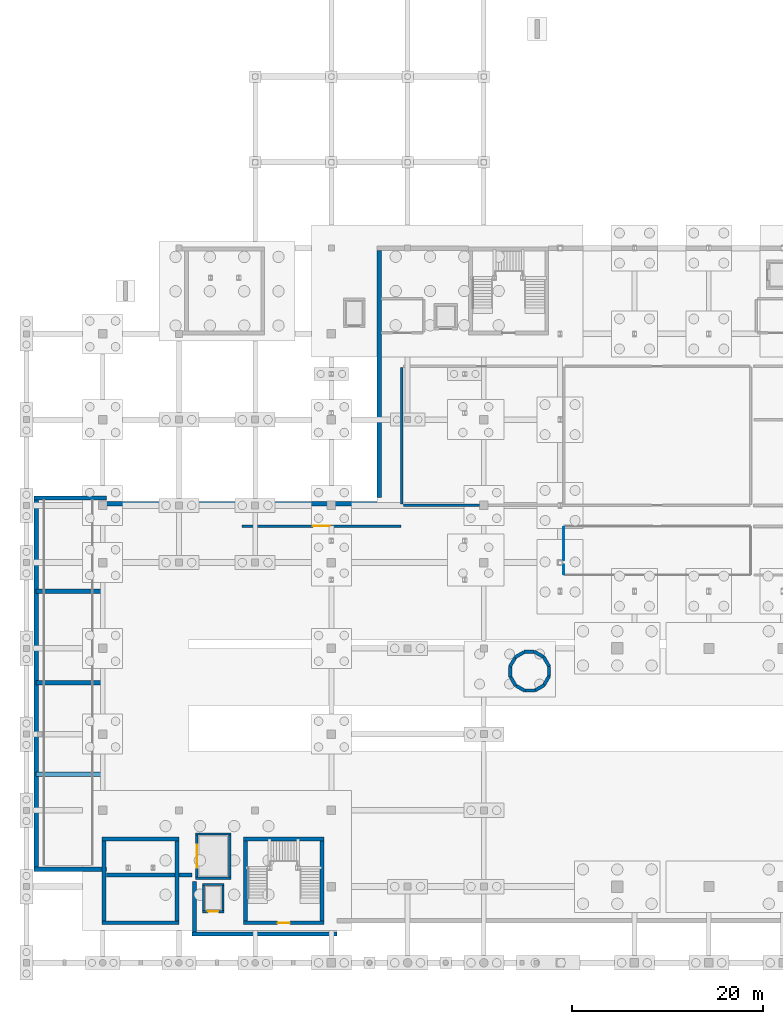
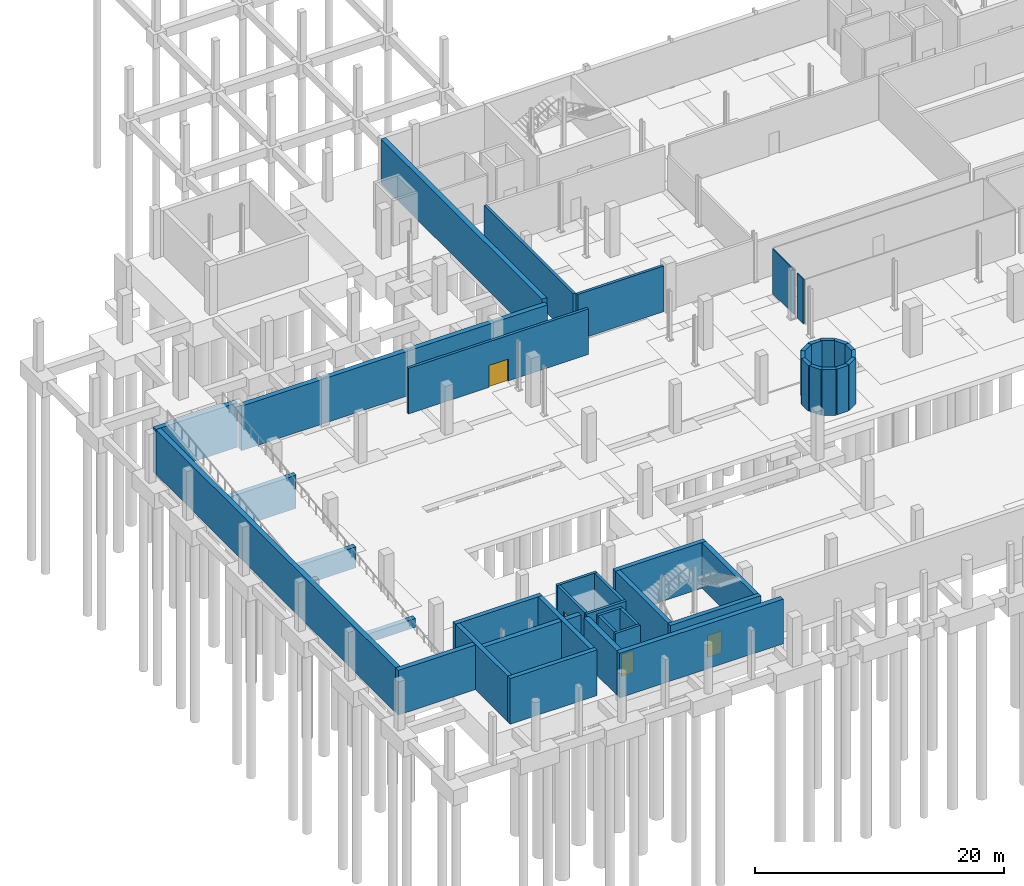
# One storey, part 25 of 32: 44 walls, 4 doors, 4 openings.
"""IFC4 building model written with IfcOpenShell, lengths in metres."""

from ifc_helpers import new_model, si_unit, derived_unit, direction, frame, frame_2d, origin, place, context, subcontext, project, spatial, rectangle, extrude, material, layer, layer_set, type_object, element, fill, save


model = new_model("IFC4")

# Units and contexts
model_context = context("Model", 3, precision=1e-05, world=origin(), true_north=direction((0.0, 1.0)))
body_context = subcontext(model_context, "Body", "Model", "MODEL_VIEW")
ifc_project = project(units=[si_unit("LENGTHUNIT", "METRE"), si_unit("AREAUNIT", "SQUARE_METRE"), si_unit("VOLUMEUNIT", "CUBIC_METRE"), si_unit("PLANEANGLEUNIT", "RADIAN"), si_unit("MASSUNIT", "GRAM", prefix="KILO"), derived_unit("THERMALTRANSMITTANCEUNIT", [(si_unit("POWERUNIT", "WATT"), 1), (si_unit("LENGTHUNIT", "METRE"), -2), (si_unit("THERMODYNAMICTEMPERATUREUNIT", "KELVIN"), -1)])], contexts=[model_context])

# Site, building, storey
site_placement = place(None, origin())
site = spatial("IfcSite", under=ifc_project, at=site_placement, CompositionType="ELEMENT")
building_placement = place(site_placement, origin())
building = spatial("IfcBuilding", under=site, at=building_placement, Name="Nallur Shell Playhouse", CompositionType="ELEMENT")
storey_placement = place(building_placement, frame((0.0, 0.0, -4.800048828125)))
storey = spatial("IfcBuildingStorey", under=building, at=storey_placement, Name="B1", CompositionType="ELEMENT", Elevation=-4.800048828125)

# Wall, opening, door
ifc_material_1 = material(Name="Concrete M45", Category="concrete")
ifc_layer_1 = layer(ifc_material_1, 0.39990234375)
ifc_layer_set_1 = layer_set([ifc_layer_1], Name="Concrete M45")
wall_type_1 = type_object("IfcWallType", Name="WL-CORE-400", PredefinedType="SHEAR", material=ifc_layer_set_1)
wall_1_placement = place(storey_placement, frame((30.800048828125, 12.199951171875, 0.0), z_axis=(0.0, 0.0, 1.0), x_axis=(1.0, 0.0, 0.0)))
wall_1 = element("IfcWall", 1, at=wall_1_placement, inside=storey, type_object=wall_type_1, Name="Joint Core JC-1 shear wall S (B1)", PredefinedType="SHEAR", context=body_context, shape_type="SweptSolid", body=[
    extrude(rectangle(XDim=8.39990234375, YDim=0.39990234375, at=frame_2d((4.199951171875, 0.0))), origin(), (0.0, 0.0, 1.0), 4.47998046875),
])
opening_1_placement = place(wall_1_placement, frame((3.550048828125, 0.0, 0.0)))
opening_1 = element("IfcOpeningElement", 2, at=opening_1_placement, cuts=wall_1, Name="Opening FD-ST1", PredefinedType="OPENING", context=body_context, shape_type="SweptSolid", body=[
    extrude(rectangle(XDim=1.300048828125, YDim=2.14990234375, at=frame_2d((0.64990234375, 1.074951171875))), frame((0.0, 0.2099609375, 0.0), z_axis=(0.0, -1.0, 0.0), x_axis=(1.0, 0.0, 0.0)), (0.0, 0.0, 1.0), 0.419921875),
])
ifc_material_2 = material(Name="Galvanised Steel Fire-Rated Stair Door", Category="steel")
door_type_1 = type_object("IfcDoorType", Name="DR-INT-STAIR-L", OperationType="SINGLE_SWING_LEFT", PredefinedType="DOOR", material=ifc_material_2)
door_1_placement = place(opening_1_placement, origin())
door_1 = element("IfcDoor", 3, at=door_1_placement, inside=storey, type_object=door_type_1, Name="Exit stair ST-01 fire door (B1)", OperationType="SINGLE_SWING_LEFT", OverallHeight=2.14990234375, OverallWidth=1.300048828125, PredefinedType="DOOR", context=body_context, shape_type="SweptSolid", body=[
    extrude(rectangle(XDim=1.300048828125, YDim=2.14990234375, at=frame_2d((0.64990234375, 1.074951171875))), frame((0.0, 0.02490234375, 0.0), z_axis=(0.0, -1.0, 0.0), x_axis=(1.0, 0.0, 0.0)), (0.0, 0.0, 1.0), 0.050048828125),
])
fill(opening_1, door_1)

# Walls
wall_2_placement = place(storey_placement, frame((39.199951171875, 21.0, 0.0), z_axis=(0.0, 0.0, 1.0), x_axis=(-1.0, 0.0, 0.0)))
element("IfcWall", 4, at=wall_2_placement, inside=storey, type_object=wall_type_1, Name="Joint Core JC-1 shear wall N (B1)", PredefinedType="SHEAR", context=body_context, shape_type="SweptSolid", body=[
    extrude(rectangle(XDim=8.39990234375, YDim=0.39990234375, at=frame_2d((4.199951171875, 0.0))), origin(), (0.0, 0.0, 1.0), 4.47998046875),
])
for number, where, z_axis, x_axis, name in (
    (5, (39.0, 12.409912109375, 0.0), (0.0, 0.0, 1.0), (0.0, 1.0, 0.0), "Joint Core JC-1 shear wall E (B1)"),
    (6, (31.0, 20.7900390625, 0.0), (0.0, 0.0, 1.0), (0.0, -1.0, 0.0), "Joint Core JC-1 shear wall W (B1)"),
):
    element("IfcWall", number, at=place(storey_placement, frame(where, z_axis=z_axis, x_axis=x_axis)), inside=storey, type_object=wall_type_1, Name=name, PredefinedType="SHEAR", context=body_context, shape_type="SweptSolid", body=[
        extrude(rectangle(XDim=8.380126953125, YDim=0.39990234375, at=frame_2d((4.18994140625, 0.0))), origin(), (0.0, 0.0, 1.0), 4.47998046875),
    ])
for number, where, z_axis, x_axis, name in (
    (7, (15.949951171875, 12.199951171875, 0.0), (0.0, 0.0, 1.0), (1.0, 0.0, 0.0), "Joint Core JC-7 substructure foundation wall S (B1)"),
    (8, (24.0, 21.0, 0.0), (0.0, 0.0, 1.0), (-1.0, 0.0, 0.0), "Joint Core JC-7 substructure foundation wall N (B1)"),
):
    element("IfcWall", number, at=place(storey_placement, frame(where, z_axis=z_axis, x_axis=x_axis)), inside=storey, type_object=wall_type_1, Name=name, PredefinedType="SHEAR", context=body_context, shape_type="SweptSolid", body=[
        extrude(rectangle(XDim=8.050048828125, YDim=0.39990234375, at=frame_2d((4.02490234375, 0.0))), origin(), (0.0, 0.0, 1.0), 4.47998046875),
    ])
for number, where, z_axis, x_axis, name in (
    (9, (23.800048828125, 12.409912109375, 0.0), (0.0, 0.0, 1.0), (0.0, 1.0, 0.0), "Joint Core JC-7 substructure foundation wall E (B1)"),
    (10, (16.14990234375, 20.7900390625, 0.0), (0.0, 0.0, 1.0), (0.0, -1.0, 0.0), "Joint Core JC-7 substructure foundation wall W (B1)"),
):
    element("IfcWall", number, at=place(storey_placement, frame(where, z_axis=z_axis, x_axis=x_axis)), inside=storey, type_object=wall_type_1, Name=name, PredefinedType="SHEAR", context=body_context, shape_type="SweptSolid", body=[
        extrude(rectangle(XDim=8.380126953125, YDim=0.39990234375, at=frame_2d((4.18994140625, 0.0))), origin(), (0.0, 0.0, 1.0), 4.47998046875),
    ])
wall_3_placement = place(storey_placement, frame((62.861328125, 39.08642578125, 0.0), z_axis=(0.0, 0.0, 1.0), x_axis=(-0.499930512259, 0.866065518833, 0.0)))
element("IfcWall", 11, at=wall_3_placement, inside=storey, type_object=wall_type_1, Name="Metabolist service drum DR-1 facet 1 (B1)", PredefinedType="SHEAR", context=body_context, shape_type="SweptSolid", body=[
    extrude(rectangle(XDim=1.218994140625, YDim=0.35009765625, at=frame_2d((0.609375, 0.0))), origin(), (0.0, 0.0, 1.0), 4.47998046875),
])
for number, where, z_axis, x_axis, name in (
    (12, (62.23291015625, 40.114990234375, 0.0), (0.0, 0.0, 1.0), (-0.866062834654, 0.499935162227, 0.0), "Metabolist service drum DR-1 facet 2 (B1)"),
    (13, (61.283447265625, 40.62841796875, 0.0), (0.0, 0.0, 1.0), (-1.0, 0.0, 0.0), "Metabolist service drum DR-1 facet 3 (B1)"),
    (14, (60.20458984375, 40.598388671875, 0.0), (0.0, 0.0, 1.0), (-0.86611865017, -0.499838457731, 0.0), "Metabolist service drum DR-1 facet 4 (B1)"),
    (15, (59.28515625, 40.032958984375, 0.0), (0.0, 0.0, 1.0), (-0.500102687236, -0.865966109163, 0.0), "Metabolist service drum DR-1 facet 5 (B1)"),
    (16, (58.771484375, 39.08349609375, 0.0), (0.0, 0.0, 1.0), (0.0, -1.0, 0.0), "Metabolist service drum DR-1 facet 6 (B1)"),
    (17, (58.801513671875, 38.00439453125, 0.0), (0.0, 0.0, 1.0), (0.500102687236, -0.865966109163, 0.0), "Metabolist service drum DR-1 facet 7 (B1)"),
):
    element("IfcWall", number, at=place(storey_placement, frame(where, z_axis=z_axis, x_axis=x_axis)), inside=storey, type_object=wall_type_1, Name=name, PredefinedType="SHEAR", context=body_context, shape_type="SweptSolid", body=[
        extrude(rectangle(XDim=1.093017578125, YDim=0.35009765625, at=frame_2d((0.54638671875, 0.0))), origin(), (0.0, 0.0, 1.0), 4.47998046875),
    ])
wall_4_placement = place(storey_placement, frame((59.366943359375, 37.085205078125, 0.0), z_axis=(0.0, 0.0, 1.0), x_axis=(0.866021955858, -0.500005971936, 0.0)))
element("IfcWall", 18, at=wall_4_placement, inside=storey, type_object=wall_type_1, Name="Metabolist service drum DR-1 facet 8 (B1)", PredefinedType="SHEAR", context=body_context, shape_type="SweptSolid", body=[
    extrude(rectangle(XDim=1.09326171875, YDim=0.35009765625, at=frame_2d((0.546630859375, 0.0))), origin(), (0.0, 0.0, 1.0), 4.47998046875),
])
for number, where, z_axis, x_axis, name in (
    (19, (60.31640625, 36.571533203125, 0.0), (0.0, 0.0, 1.0), (1.0, 0.0, 0.0), "Metabolist service drum DR-1 facet 9 (B1)"),
    (20, (61.3955078125, 36.6015625, 0.0), (0.0, 0.0, 1.0), (0.865966109163, 0.500102687236, 0.0), "Metabolist service drum DR-1 facet 10 (B1)"),
    (21, (62.31494140625, 37.1669921875, 0.0), (0.0, 0.0, 1.0), (0.499935162227, 0.866062834654, 0.0), "Metabolist service drum DR-1 facet 11 (B1)"),
):
    element("IfcWall", number, at=place(storey_placement, frame(where, z_axis=z_axis, x_axis=x_axis)), inside=storey, type_object=wall_type_1, Name=name, PredefinedType="SHEAR", context=body_context, shape_type="SweptSolid", body=[
        extrude(rectangle(XDim=1.093017578125, YDim=0.35009765625, at=frame_2d((0.54638671875, 0.0))), origin(), (0.0, 0.0, 1.0), 4.47998046875),
    ])
wall_5_placement = place(storey_placement, frame((62.828369140625, 38.116455078125, 0.0), z_axis=(0.0, 0.0, 1.0), x_axis=(0.0, 1.0, 0.0)))
element("IfcWall", 22, at=wall_5_placement, inside=storey, type_object=wall_type_1, Name="Metabolist service drum DR-1 facet 12 (B1)", PredefinedType="SHEAR", context=body_context, shape_type="SweptSolid", body=[
    extrude(rectangle(XDim=0.967041015625, YDim=0.35009765625, at=frame_2d((0.4833984375, 0.0))), origin(), (0.0, 0.0, 1.0), 4.47998046875),
])

# Wall, opening, door
ifc_material_3 = material(Name="Concrete M30", Category="concrete")
ifc_layer_2 = layer(ifc_material_3, 0.25)
ifc_layer_set_2 = layer_set([ifc_layer_2], Name="Concrete M30")
wall_type_2 = type_object("IfcWallType", Name="WL-PART-AC250", PredefinedType="PARTITIONING", material=ifc_layer_set_2)
wall_6_placement = place(storey_placement, frame((30.594970703125, 53.830078125, 0.0), z_axis=(0.0, 0.0, 1.0), x_axis=(1.0, 0.0, 0.0)))
wall_6 = element("IfcWall", 23, at=wall_6_placement, inside=storey, type_object=wall_type_2, Name="Basement Car Park Loop Hall partition IW-B1-0008", PredefinedType="PARTITIONING", context=body_context, shape_type="SweptSolid", body=[
    extrude(rectangle(XDim=16.7099609375, YDim=0.25, at=frame_2d((8.35498046875, 0.0))), origin(), (0.0, 0.0, 1.0), 4.469970703125),
])
opening_2_placement = place(wall_6_placement, frame((7.455078125, 0.0, 0.0)))
opening_2 = element("IfcOpeningElement", 24, at=opening_2_placement, cuts=wall_6, Name="Opening FD-FL1", PredefinedType="OPENING", context=body_context, shape_type="SweptSolid", body=[
    extrude(rectangle(XDim=1.800048828125, YDim=2.14990234375, at=frame_2d((0.89990234375, 1.074951171875))), frame((0.0, 0.135009765625, 0.0), z_axis=(0.0, -1.0, 0.0), x_axis=(1.0, 0.0, 0.0)), (0.0, 0.0, 1.0), 0.27001953125),
])
ifc_material_4 = material(Name="Firefighting Lobby Smoke-Seal Double Door")
door_type_2 = type_object("IfcDoorType", Name="DR-INT-FFL-DBL", OperationType="DOUBLE_DOOR_SINGLE_SWING", PredefinedType="DOOR", material=ifc_material_4)
door_2_placement = place(opening_2_placement, origin())
door_2 = element("IfcDoor", 25, at=door_2_placement, inside=storey, type_object=door_type_2, Name="Basement car park spine fire door", OperationType="DOUBLE_DOOR_SINGLE_SWING", OverallHeight=2.14990234375, OverallWidth=1.800048828125, PredefinedType="DOOR", context=body_context, shape_type="SweptSolid", body=[
    extrude(rectangle(XDim=1.800048828125, YDim=2.14990234375, at=frame_2d((0.89990234375, 1.074951171875))), frame((0.0, 0.02490234375, 0.0), z_axis=(0.0, -1.0, 0.0), x_axis=(1.0, 0.0, 0.0)), (0.0, 0.0, 1.0), 0.050048828125),
])
fill(opening_2, door_2)

# Walls
wall_7_placement = place(storey_placement, frame((55.534912109375, 56.0, 0.0), z_axis=(0.0, 0.0, 1.0), x_axis=(-1.0, 0.0, 0.0)))
element("IfcWall", 26, at=wall_7_placement, inside=storey, type_object=wall_type_2, Name="Fire Fighting Pump Room & 200kL Wet Riser Tank partition IW-B1-0023", PredefinedType="PARTITIONING", context=body_context, shape_type="SweptSolid", body=[
    extrude(rectangle(XDim=7.989990234375, YDim=0.25, at=frame_2d((3.9951171875, 0.0))), origin(), (0.0, 0.0, 1.0), 4.469970703125),
])
wall_8_placement = place(storey_placement, frame((47.39990234375, 56.14501953125, 0.0), z_axis=(0.0, 0.0, 1.0), x_axis=(0.0, 1.0, 0.0)))
element("IfcWall", 27, at=wall_8_placement, inside=storey, type_object=wall_type_2, Name="Fire Fighting Pump Room & 200kL Wet Riser Tank partition IW-B1-0024", PredefinedType="PARTITIONING", context=body_context, shape_type="SweptSolid", body=[
    extrude(rectangle(XDim=14.31005859375, YDim=0.25, at=frame_2d((7.155029296875, 0.0))), origin(), (0.0, 0.0, 1.0), 4.469970703125),
])
ifc_material_5 = material(Name="Double-Layer Fire-Rated Gypsum Stud Partition")
ifc_layer_3 = layer(ifc_material_5, 0.10009765625)
ifc_layer_set_3 = layer_set([ifc_layer_3], Name="Double-Layer Fire-Rated Gypsum Stud Partition")
wall_type_3 = type_object("IfcWallType", Name="WL-PART-DRY100", PredefinedType="PARTITIONING", material=ifc_layer_set_3)
wall_9_placement = place(storey_placement, frame((64.39990234375, 48.77001953125, 0.0), z_axis=(0.0, 0.0, 1.0), x_axis=(0.0, 1.0, 0.0)))
element("IfcWall", 28, at=wall_9_placement, inside=storey, type_object=wall_type_3, Name="Orchestra Pit Lift & Instrument Vault partition IW-B1-0012", PredefinedType="PARTITIONING", context=body_context, shape_type="SweptSolid", body=[
    extrude(rectangle(XDim=0.989990234375, YDim=0.10009765625, at=frame_2d((0.4951171875, 0.0))), origin(), (0.0, 0.0, 1.0), 4.39013671875),
])
wall_10_placement = place(storey_placement, frame((64.39990234375, 50.239990234375, 0.0), z_axis=(0.0, 0.0, 1.0), x_axis=(0.0, 1.0, 0.0)))
element("IfcWall", 29, at=wall_10_placement, inside=storey, type_object=wall_type_3, Name="Orchestra Pit Lift & Instrument Vault partition IW-B1-0013", PredefinedType="PARTITIONING", context=body_context, shape_type="SweptSolid", body=[
    extrude(rectangle(XDim=3.489990234375, YDim=0.10009765625, at=frame_2d((1.7451171875, 0.0))), origin(), (0.0, 0.0, 1.0), 4.39013671875),
])
ifc_material_6 = material(Name="Concrete M40", Category="concrete")
ifc_layer_4 = layer(ifc_material_6, 0.449951171875)
ifc_layer_set_4 = layer_set([ifc_layer_4], Name="Concrete M40")
wall_type_4 = type_object("IfcWallType", Name="WL-RET-450", PredefinedType="USERDEFINED", material=ifc_layer_set_4)
wall_11_placement = place(storey_placement, frame((16.39990234375, 17.824951171875, 0.0), z_axis=(0.0, 0.0, 1.0), x_axis=(-1.0, 0.0, 0.0)))
element("IfcWall", 30, at=wall_11_placement, inside=storey, type_object=wall_type_4, Name="Basement perimeter retaining wall RW-B1-1.02", ObjectType="RETAININGWALL", PredefinedType="USERDEFINED", context=body_context, shape_type="SweptSolid", body=[
    extrude(rectangle(XDim=7.599853515625, YDim=0.449951171875, at=frame_2d((3.7998046875, 0.0))), origin(), (0.0, 0.0, 1.0), 4.380126953125),
])
wall_12_placement = place(storey_placement, frame((9.02490234375, 18.044921875, 0.0), z_axis=(0.0, 0.0, 1.0), x_axis=(0.0, 1.0, 0.0)))
element("IfcWall", 31, at=wall_12_placement, inside=storey, type_object=wall_type_4, Name="Basement perimeter retaining wall RW-B1-1.03", ObjectType="RETAININGWALL", PredefinedType="USERDEFINED", context=body_context, shape_type="SweptSolid", body=[
    extrude(rectangle(XDim=38.510009765625, YDim=0.449951171875, at=frame_2d((19.2548828125, 0.0))), origin(), (0.0, 0.0, 1.0), 4.380126953125),
])
wall_13_placement = place(storey_placement, frame((8.800048828125, 56.77490234375, 0.0), z_axis=(0.0, 0.0, 1.0), x_axis=(1.0, 0.0, 0.0)))
element("IfcWall", 32, at=wall_13_placement, inside=storey, type_object=wall_type_4, Name="Basement perimeter retaining wall RW-B1-1.04", ObjectType="RETAININGWALL", PredefinedType="USERDEFINED", context=body_context, shape_type="SweptSolid", body=[
    extrude(rectangle(XDim=7.599853515625, YDim=0.449951171875, at=frame_2d((3.7998046875, 0.0))), origin(), (0.0, 0.0, 1.0), 4.380126953125),
])
wall_14_placement = place(storey_placement, frame((16.39990234375, 56.175048828125, 0.0), z_axis=(0.0, 0.0, 1.0), x_axis=(1.0, 0.0, 0.0)))
element("IfcWall", 33, at=wall_14_placement, inside=storey, type_object=wall_type_4, Name="Basement perimeter retaining wall RW-B1-1.06", ObjectType="RETAININGWALL", PredefinedType="USERDEFINED", context=body_context, shape_type="SweptSolid", body=[
    extrude(rectangle(XDim=28.400146484375, YDim=0.449951171875, at=frame_2d((14.2001953125, 0.0))), origin(), (0.0, 0.0, 1.0), 4.380126953125),
])
wall_15_placement = place(storey_placement, frame((45.02490234375, 56.844970703125, 0.0), z_axis=(0.0, 0.0, 1.0), x_axis=(0.0, 1.0, 0.0)))
element("IfcWall", 34, at=wall_15_placement, inside=storey, type_object=wall_type_4, Name="Basement perimeter retaining wall RW-B1-1.07", ObjectType="RETAININGWALL", PredefinedType="USERDEFINED", context=body_context, shape_type="SweptSolid", body=[
    extrude(rectangle(XDim=25.909912109375, YDim=0.449951171875, at=frame_2d((12.955078125, 0.0))), origin(), (0.0, 0.0, 1.0), 4.380126953125),
])
wall_16_placement = place(storey_placement, frame((40.60009765625, 11.02490234375, 0.0), z_axis=(0.0, 0.0, 1.0), x_axis=(-1.0, 0.0, 0.0)))
element("IfcWall", 35, at=wall_16_placement, inside=storey, type_object=wall_type_4, Name="Basement perimeter retaining wall RW-B1-1.20", ObjectType="RETAININGWALL", PredefinedType="USERDEFINED", context=body_context, shape_type="SweptSolid", body=[
    extrude(rectangle(XDim=15.2001953125, YDim=0.449951171875, at=frame_2d((7.60009765625, 0.0))), origin(), (0.0, 0.0, 1.0), 4.380126953125),
])
wall_17_placement = place(storey_placement, frame((25.625, 11.2451171875, 0.0), z_axis=(0.0, 0.0, 1.0), x_axis=(0.0, 1.0, 0.0)))
element("IfcWall", 36, at=wall_17_placement, inside=storey, type_object=wall_type_4, Name="Basement perimeter retaining wall RW-B1-1.21", ObjectType="RETAININGWALL", PredefinedType="USERDEFINED", context=body_context, shape_type="SweptSolid", body=[
    extrude(rectangle(XDim=5.309814453125, YDim=0.449951171875, at=frame_2d((2.65478515625, 0.0))), origin(), (0.0, 0.0, 1.0), 4.380126953125),
])
wall_18_placement = place(storey_placement, frame((25.39990234375, 17.22509765625, 0.0), z_axis=(0.0, 0.0, 1.0), x_axis=(-1.0, 0.0, 0.0)))
element("IfcWall", 37, at=wall_18_placement, inside=storey, type_object=wall_type_4, Name="Basement perimeter retaining wall RW-B1-1.22", ObjectType="RETAININGWALL", PredefinedType="USERDEFINED", context=body_context, shape_type="SweptSolid", body=[
    extrude(rectangle(XDim=9.0, YDim=0.449951171875, at=frame_2d((4.5, 0.0))), origin(), (0.0, 0.0, 1.0), 4.380126953125),
])
wall_19_placement = place(storey_placement, frame((9.02001953125, 27.800048828125, 0.0), z_axis=(0.0, 0.0, 1.0), x_axis=(1.0, 0.0, 0.0)))
element("IfcWall", 38, at=wall_19_placement, inside=storey, type_object=wall_type_4, Name="Vehicular ramp intermediate support pier wall Y=27.8", ObjectType="RETAININGWALL", PredefinedType="USERDEFINED", context=body_context, shape_type="SweptSolid", body=[
    extrude(rectangle(XDim=7.159912109375, YDim=0.449951171875, at=frame_2d((3.580078125, 0.0))), origin(), (0.0, 0.0, 1.0), 0.860107421875),
])
wall_20_placement = place(storey_placement, frame((9.02001953125, 37.39990234375, 0.0), z_axis=(0.0, 0.0, 1.0), x_axis=(1.0, 0.0, 0.0)))
element("IfcWall", 39, at=wall_20_placement, inside=storey, type_object=wall_type_4, Name="Vehicular ramp intermediate support pier wall Y=37.4", ObjectType="RETAININGWALL", PredefinedType="USERDEFINED", context=body_context, shape_type="SweptSolid", body=[
    extrude(rectangle(XDim=7.159912109375, YDim=0.449951171875, at=frame_2d((3.580078125, 0.0))), origin(), (0.0, 0.0, 1.0), 2.06005859375),
])
wall_21_placement = place(storey_placement, frame((9.02001953125, 47.0, 0.0), z_axis=(0.0, 0.0, 1.0), x_axis=(1.0, 0.0, 0.0)))
element("IfcWall", 40, at=wall_21_placement, inside=storey, type_object=wall_type_4, Name="Vehicular ramp intermediate support pier wall Y=47.0", ObjectType="RETAININGWALL", PredefinedType="USERDEFINED", context=body_context, shape_type="SweptSolid", body=[
    extrude(rectangle(XDim=7.159912109375, YDim=0.449951171875, at=frame_2d((3.580078125, 0.0))), origin(), (0.0, 0.0, 1.0), 3.260009765625),
])

# Wall, opening, door
ifc_layer_5 = layer(ifc_material_1, 0.25)
ifc_layer_set_5 = layer_set([ifc_layer_5], Name="Concrete M45")
wall_type_5 = type_object("IfcWallType", Name="WL-SHAFT-250", PredefinedType="STANDARD", material=ifc_layer_set_5)
wall_22_placement = place(storey_placement, frame((26.449951171875, 13.375, 0.0), z_axis=(0.0, 0.0, 1.0), x_axis=(1.0, 0.0, 0.0)))
wall_22 = element("IfcWall", 41, at=wall_22_placement, inside=storey, type_object=wall_type_5, Name="Passenger Lift PL-1 shaft wall south (B1)", PredefinedType="STANDARD", context=body_context, shape_type="SweptSolid", body=[
    extrude(rectangle(XDim=2.300048828125, YDim=0.25, at=frame_2d((1.14990234375, 0.0))), origin(), (0.0, 0.0, 1.0), 4.469970703125),
])
opening_3_placement = place(wall_22_placement, frame((0.60009765625, 0.0, 0.0)))
opening_3 = element("IfcOpeningElement", 42, at=opening_3_placement, cuts=wall_22, Name="Opening LD-P1", PredefinedType="OPENING", context=body_context, shape_type="SweptSolid", body=[
    extrude(rectangle(XDim=1.10009765625, YDim=2.14990234375, at=frame_2d((0.550048828125, 1.074951171875))), frame((0.0, 0.135009765625, 0.0), z_axis=(0.0, -1.0, 0.0), x_axis=(1.0, 0.0, 0.0)), (0.0, 0.0, 1.0), 0.27001953125),
])
ifc_material_7 = material(Name="Brushed Stainless Steel Lift Landing Door", Category="steel")
door_type_3 = type_object("IfcDoorType", Name="DR-LIFT-PASS", OperationType="DOUBLE_DOOR_SLIDING", PredefinedType="DOOR", material=ifc_material_7)
door_3_placement = place(opening_3_placement, origin())
door_3 = element("IfcDoor", 43, at=door_3_placement, inside=storey, type_object=door_type_3, Name="Passenger Lift PL-1 sliding landing door (B1)", OperationType="DOUBLE_DOOR_SLIDING", OverallHeight=2.14990234375, OverallWidth=1.10009765625, PredefinedType="DOOR", context=body_context, shape_type="SweptSolid", body=[
    extrude(rectangle(XDim=1.10009765625, YDim=2.14990234375, at=frame_2d((0.550048828125, 1.074951171875))), frame((0.0, 0.02490234375, 0.0), z_axis=(0.0, -1.0, 0.0), x_axis=(1.0, 0.0, 0.0)), (0.0, 0.0, 1.0), 0.050048828125),
])
fill(opening_3, door_3)

# Walls
wall_23_placement = place(storey_placement, frame((28.75, 16.22509765625, 0.0), z_axis=(0.0, 0.0, 1.0), x_axis=(-1.0, 0.0, 0.0)))
element("IfcWall", 44, at=wall_23_placement, inside=storey, type_object=wall_type_5, Name="Passenger Lift PL-1 shaft wall north (B1)", PredefinedType="STANDARD", context=body_context, shape_type="SweptSolid", body=[
    extrude(rectangle(XDim=2.300048828125, YDim=0.25, at=frame_2d((1.14990234375, 0.0))), origin(), (0.0, 0.0, 1.0), 4.469970703125),
])
for number, where, z_axis, x_axis, name in (
    (45, (28.625, 13.510009765625, 0.0), (0.0, 0.0, 1.0), (0.0, 1.0, 0.0), "Passenger Lift PL-1 shaft wall east (B1)"),
    (46, (26.574951171875, 16.090087890625, 0.0), (0.0, 0.0, 1.0), (0.0, -1.0, 0.0), "Passenger Lift PL-1 shaft wall west (B1)"),
):
    element("IfcWall", number, at=place(storey_placement, frame(where, z_axis=z_axis, x_axis=x_axis)), inside=storey, type_object=wall_type_5, Name=name, PredefinedType="STANDARD", context=body_context, shape_type="SweptSolid", body=[
        extrude(rectangle(XDim=2.580078125, YDim=0.25, at=frame_2d((1.2900390625, 0.0))), origin(), (0.0, 0.0, 1.0), 4.469970703125),
    ])
for number, where, z_axis, x_axis, name in (
    (47, (25.75, 16.875, 0.0), (0.0, 0.0, 1.0), (1.0, 0.0, 0.0), "Scenery Freight Lift SL-1 shaft wall south (B1)"),
    (48, (29.449951171875, 21.52490234375, 0.0), (0.0, 0.0, 1.0), (-1.0, 0.0, 0.0), "Scenery Freight Lift SL-1 shaft wall north (B1)"),
):
    element("IfcWall", number, at=place(storey_placement, frame(where, z_axis=z_axis, x_axis=x_axis)), inside=storey, type_object=wall_type_5, Name=name, PredefinedType="STANDARD", context=body_context, shape_type="SweptSolid", body=[
        extrude(rectangle(XDim=3.699951171875, YDim=0.25, at=frame_2d((1.85009765625, 0.0))), origin(), (0.0, 0.0, 1.0), 4.469970703125),
    ])
wall_24_placement = place(storey_placement, frame((29.324951171875, 17.010009765625, 0.0), z_axis=(0.0, 0.0, 1.0), x_axis=(0.0, 1.0, 0.0)))
element("IfcWall", 49, at=wall_24_placement, inside=storey, type_object=wall_type_5, Name="Scenery Freight Lift SL-1 shaft wall east (B1)", PredefinedType="STANDARD", context=body_context, shape_type="SweptSolid", body=[
    extrude(rectangle(XDim=4.3798828125, YDim=0.25, at=frame_2d((2.18994140625, 0.0))), origin(), (0.0, 0.0, 1.0), 4.469970703125),
])

# Wall, opening, door
wall_25_placement = place(storey_placement, frame((25.875, 21.389892578125, 0.0), z_axis=(0.0, 0.0, 1.0), x_axis=(0.0, -1.0, 0.0)))
wall_25 = element("IfcWall", 50, at=wall_25_placement, inside=storey, type_object=wall_type_5, Name="Scenery Freight Lift SL-1 shaft wall west (B1)", PredefinedType="STANDARD", context=body_context, shape_type="SweptSolid", body=[
    extrude(rectangle(XDim=4.3798828125, YDim=0.25, at=frame_2d((2.18994140625, 0.0))), origin(), (0.0, 0.0, 1.0), 4.469970703125),
])
opening_4_placement = place(wall_25_placement, frame((0.989990234375, 0.0, 0.0)))
opening_4 = element("IfcOpeningElement", 51, at=opening_4_placement, cuts=wall_25, Name="Opening LD-S1", PredefinedType="OPENING", context=body_context, shape_type="SweptSolid", body=[
    extrude(rectangle(XDim=2.39990234375, YDim=2.550048828125, at=frame_2d((1.199951171875, 1.27490234375))), frame((0.0, 0.135009765625, 0.0), z_axis=(0.0, -1.0, 0.0), x_axis=(1.0, 0.0, 0.0)), (0.0, 0.0, 1.0), 0.27001953125),
])
ifc_material_8 = material(Name="Scenery Freight Lift Bi-Parting Landing Door")
door_type_4 = type_object("IfcDoorType", Name="DR-LIFT-SCEN", OperationType="DOUBLE_DOOR_SLIDING", PredefinedType="DOOR", material=ifc_material_8)
door_4_placement = place(opening_4_placement, origin())
door_4 = element("IfcDoor", 52, at=door_4_placement, inside=storey, type_object=door_type_4, Name="Scenery Freight Lift SL-1 sliding landing door (B1)", OperationType="DOUBLE_DOOR_SLIDING", OverallHeight=2.550048828125, OverallWidth=2.39990234375, PredefinedType="DOOR", context=body_context, shape_type="SweptSolid", body=[
    extrude(rectangle(XDim=2.39990234375, YDim=2.550048828125, at=frame_2d((1.199951171875, 1.27490234375))), frame((0.0, 0.02490234375, 0.0), z_axis=(0.0, -1.0, 0.0), x_axis=(1.0, 0.0, 0.0)), (0.0, 0.0, 1.0), 0.050048828125),
])
fill(opening_4, door_4)

save(model, "model.ifc")
